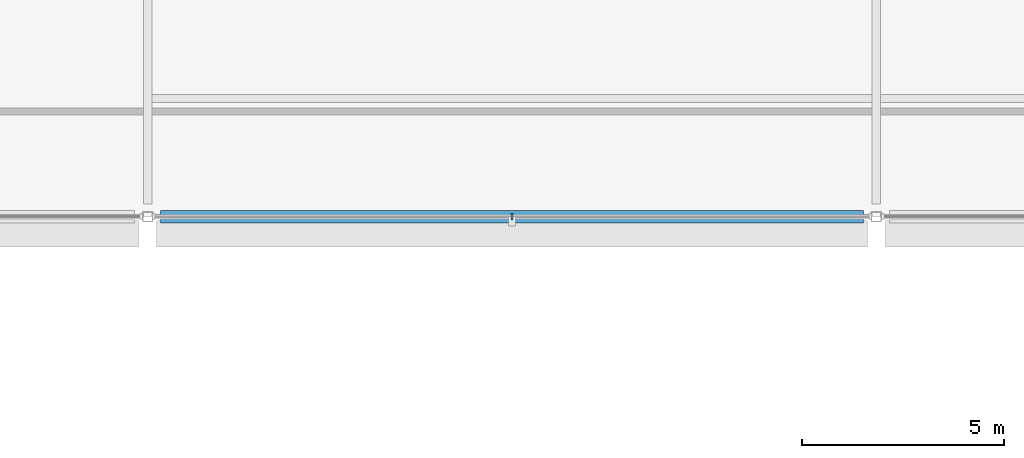
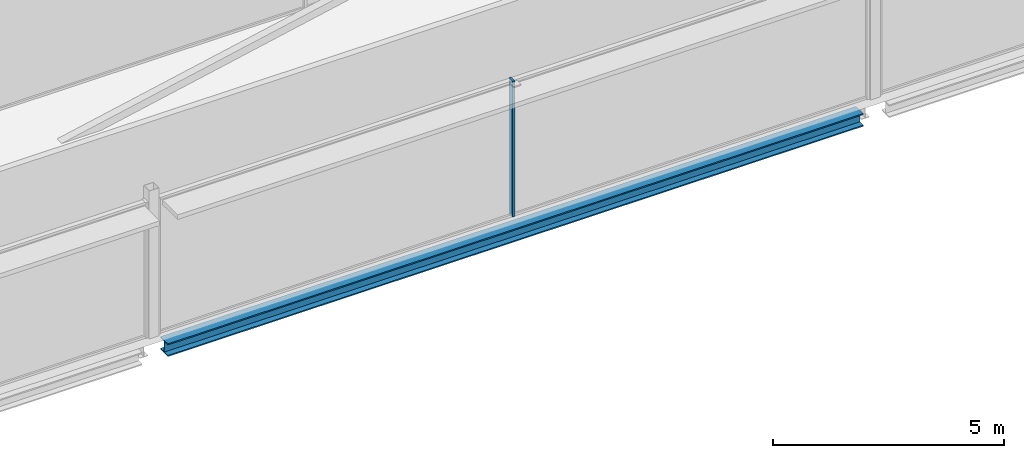
# One storey, part 26 of 105: 1 beam, 1 member, 1 element without a shape of its own.
"""IFC4 building model written with IfcOpenShell, lengths in metres."""

from ifc_helpers import new_model, si_unit, direction, frame, origin, origin_2d, place, context, subcontext, project, spatial, rectangle, i_section, extrude, material, layer, layer_set, material_profile, profile_set, type_object, element, aggregate, save


model = new_model("IFC4")

# Units and contexts
model_context = context("Model", 3, precision=1e-05, world=origin(), true_north=direction((0.0, 1.0)))
body_context = subcontext(model_context, "Body", "Model", "MODEL_VIEW")
ifc_project = project(units=[si_unit("LENGTHUNIT", "METRE"), si_unit("AREAUNIT", "SQUARE_METRE"), si_unit("VOLUMEUNIT", "CUBIC_METRE"), si_unit("PLANEANGLEUNIT", "RADIAN"), si_unit("MASSUNIT", "GRAM", prefix="KILO")], contexts=[model_context])

# Site, building, storey
site_placement = place(None, origin())
site = spatial("IfcSite", under=ifc_project, at=site_placement, CompositionType="ELEMENT")
building_placement = place(site_placement, origin())
building = spatial("IfcBuilding", under=site, at=building_placement, Name="Kisiwana Market Hall", CompositionType="ELEMENT")
storey_placement = place(building_placement, frame((0.0, 0.0, 21.60009765625)))
storey = spatial("IfcBuildingStorey", under=building, at=storey_placement, Name="L04", CompositionType="ELEMENT", Elevation=21.60009765625)

# Beam
ifc_material_1 = material(Name="Steel S355", Category="steel")
ifc_material_profile_1 = material_profile(ifc_material_1, i_section(OverallWidth=0.314453125, OverallDepth=0.33984375, WebThickness=0.01904296875, FlangeThickness=0.031494140625, at=origin_2d()), Name="UC 305x305x198")
ifc_profile_set_1 = profile_set([ifc_material_profile_1], Name="Steel S355")
beam_type = type_object("IfcBeamType", Name="BM-SKYBR-CHORD", PredefinedType="BEAM", material=ifc_profile_set_1)
beam_placement = place(storey_placement, frame((117.321044921875, 18.0, -0.43505859375), z_axis=(1.0, 0.0, 0.0), x_axis=(0.0, 1.0, 0.0)))
element("IfcBeam", 1, at=beam_placement, inside=storey, type_object=beam_type, Name="Floor beam B-1431", PredefinedType="BEAM", context=body_context, shape_type="SweptSolid", body=[
    extrude(i_section(OverallWidth=0.314453125, OverallDepth=0.33984375, WebThickness=0.01904296875, FlangeThickness=0.031494140625, at=origin_2d()), origin(), (0.0, 0.0, 1.0), 17.35791015625),
])

# Curtain wall, member
ifc_material_2 = material(Name="Double-glazed solar-control low-E IGU", Category="glass")
ifc_layer = layer(ifc_material_2, 0.159912109375)
ifc_layer_set = layer_set([ifc_layer], Name="CW-ZNA-EW-8200")
curtain_wall_type = type_object("IfcCurtainWallType", Name="CW-ZNA-EW-8200", PredefinedType="USERDEFINED", material=ifc_layer_set)
curtain_wall_placement = place(storey_placement, origin())
curtain_wall = element("IfcCurtainWall", 2, at=curtain_wall_placement, inside=storey, type_object=curtain_wall_type, Name="Unitised curtain wall CW-096 (L04)", ObjectType="UNITISED CURTAIN WALL", PredefinedType="USERDEFINED")
ifc_material_3 = material(Name="Aluminium alloy 6063-T6", Category="aluminium")
ifc_material_profile_2 = material_profile(ifc_material_3, rectangle(XDim=0.06005859375, YDim=0.159912109375, at=origin_2d()), Name="ALU MULLION 60x160")
ifc_profile_set_2 = profile_set([ifc_material_profile_2], Name="Aluminium alloy 6063-T6")
member_type = type_object("IfcMemberType", Name="CW-MULL-60x160", PredefinedType="MULLION", material=ifc_profile_set_2)
member_placement = place(storey_placement, frame((126.0, 18.0, 0.0), z_axis=(0.0, 0.0, 1.0), x_axis=(1.0, 0.0, 0.0)))
member = element("IfcMember", 3, at=member_placement, type_object=member_type, Name="CW-096 mullion 2", PredefinedType="MULLION", context=body_context, shape_type="SweptSolid", body=[
    extrude(rectangle(XDim=0.06005859375, YDim=0.159912109375, at=origin_2d()), origin(), (0.0, 0.0, 1.0), 3.5849609375),
])
aggregate(curtain_wall, [member])

save(model, "model.ifc")
